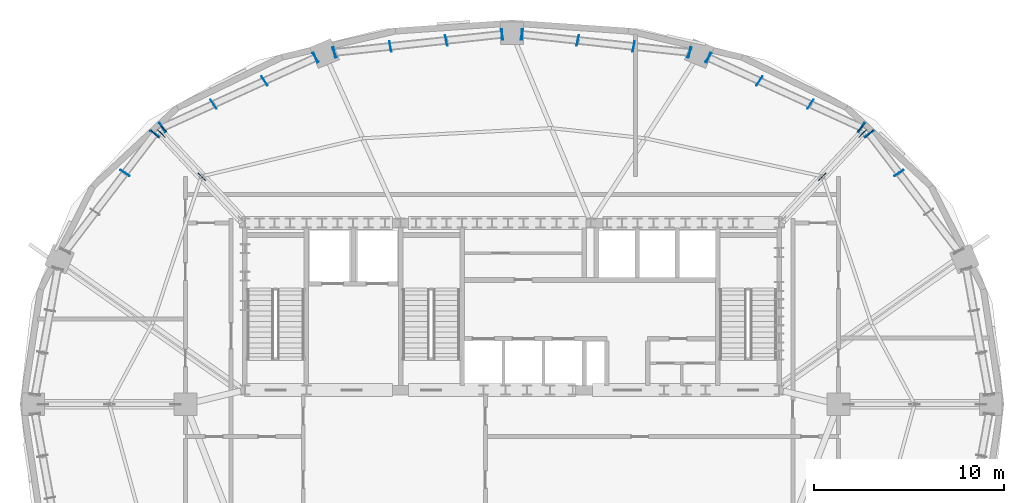
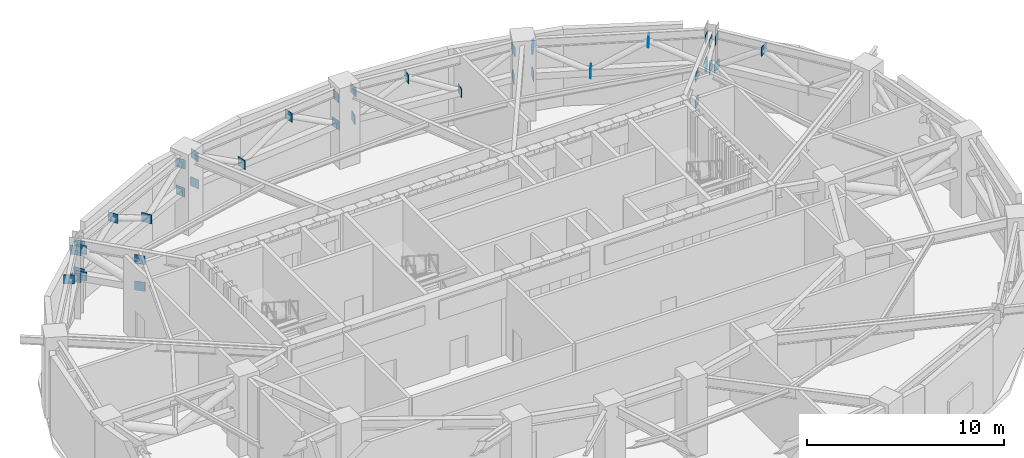
# One storey, part 10 of 17: 38 plates.
"""IFC4 building model written with IfcOpenShell, lengths in metres."""

from ifc_helpers import new_model, si_unit, direction, frame, origin, origin_2d, place, context, subcontext, project, spatial, rectangle, extrude, material, layer, layer_set, type_object, element, save


model = new_model("IFC4")

# Units and contexts
model_context = context("Model", 3, precision=1e-05, world=origin(), true_north=direction((0.0, 1.0)))
body_context = subcontext(model_context, "Body", "Model", "MODEL_VIEW")
ifc_project = project(units=[si_unit("LENGTHUNIT", "METRE"), si_unit("AREAUNIT", "SQUARE_METRE"), si_unit("VOLUMEUNIT", "CUBIC_METRE"), si_unit("PLANEANGLEUNIT", "RADIAN"), si_unit("MASSUNIT", "GRAM", prefix="KILO")], contexts=[model_context])

# Site, building, storey
site_placement = place(None, origin())
site = spatial("IfcSite", under=ifc_project, at=site_placement, CompositionType="ELEMENT")
building_placement = place(site_placement, origin())
building = spatial("IfcBuilding", under=site, at=building_placement, Name="Haldorwick Loom Tower", CompositionType="ELEMENT")
storey_placement = place(building_placement, frame((0.0, 0.0, 149.449951171875)))
storey = spatial("IfcBuildingStorey", under=building, at=storey_placement, Name="L40", CompositionType="ELEMENT", Elevation=149.449951171875)

# Plates
ifc_material = material(Name="Steel CSA G40.21 350W", Category="steel")
ifc_layer = layer(ifc_material, 0.028076171875, Name="Steel CSA G40.21 350W", Category="steel")
ifc_layer_set = layer_set([ifc_layer], Name="Steel CSA G40.21 350W")
plate_type = type_object("IfcPlateType", Name="STR-PLT-GUS28", PredefinedType="SHEET", material=ifc_layer_set)
for number, where, z_axis, x_axis, name in (
    (1, (56.388427734375, 38.18603515625, 3.93603515625), (0.0, 0.0, 1.0), (0.831469612303, 0.55557023302, 0.0), "L40 Truss Node Gusset Plate PLT-L40-BGUS-01-1B"),
    (2, (54.822021484375, 40.245361328125, 2.219970703125), (0.0, 0.0, 1.0), (0.831469612303, 0.55557023302, 0.0), "L40 Truss Node Gusset Plate PLT-L40-BGUS-01-2B"),
    (3, (54.822021484375, 40.245361328125, 3.93603515625), (0.0, 0.0, 1.0), (0.707106781187, 0.707106781187, 0.0), "L40 Truss Node Gusset Plate PLT-L40-BGUS-01D"),
    (4, (54.405517578125, 40.57861328125, 2.219970703125), (0.0, 0.0, 1.0), (0.55557023302, 0.831469612303, 0.0), "L40 Truss Node Gusset Plate PLT-L40-BGUS-02-0A"),
    (5, (51.718994140625, 41.80615234375, 3.93603515625), (0.0, 0.0, 1.0), (0.55557023302, 0.831469612303, 0.0), "L40 Truss Node Gusset Plate PLT-L40-BGUS-02-0B"),
    (6, (49.03271484375, 43.03369140625, 2.219970703125), (0.0, 0.0, 1.0), (0.55557023302, 0.831469612303, 0.0), "L40 Truss Node Gusset Plate PLT-L40-BGUS-02-1B"),
    (7, (46.34619140625, 44.261474609375, 3.93603515625), (0.0, 0.0, 1.0), (0.55557023302, 0.831469612303, 0.0), "L40 Truss Node Gusset Plate PLT-L40-BGUS-02-2B"),
    (8, (54.405517578125, 40.57861328125, 3.93603515625), (0.0, 0.0, 1.0), (0.707106781187, 0.707106781187, 0.0), "L40 Truss Node Gusset Plate PLT-L40-BGUS-02B"),
    (9, (46.34619140625, 44.261474609375, 2.219970703125), (0.0, 0.0, 1.0), (0.382683432365, 0.923879532511, 0.0), "L40 Truss Node Gusset Plate PLT-L40-BGUS-02C"),
    (10, (45.356201171875, 44.533447265625, 3.93603515625), (0.0, 0.0, 1.0), (0.195090322016, 0.980785280403, 0.0), "L40 Truss Node Gusset Plate PLT-L40-BGUS-03-0A"),
    (11, (42.409912109375, 44.851806640625, 2.219970703125), (0.0, 0.0, 1.0), (0.195090322016, 0.980785280403, 0.0), "L40 Truss Node Gusset Plate PLT-L40-BGUS-03-0B"),
    (12, (39.46337890625, 45.17041015625, 3.93603515625), (0.0, 0.0, 1.0), (0.195090322016, 0.980785280403, 0.0), "L40 Truss Node Gusset Plate PLT-L40-BGUS-03-1B"),
    (13, (36.51708984375, 45.48876953125, 2.219970703125), (0.0, 0.0, 1.0), (0.195090322016, 0.980785280403, 0.0), "L40 Truss Node Gusset Plate PLT-L40-BGUS-03-2B"),
    (14, (45.356201171875, 44.533447265625, 2.219970703125), (0.0, 0.0, 1.0), (0.382683432365, 0.923879532511, 0.0), "L40 Truss Node Gusset Plate PLT-L40-BGUS-03A"),
    (15, (36.51708984375, 45.48876953125, 3.93603515625), (0.0, 0.0, 1.0), (0.0, 1.0, 0.0), "L40 Truss Node Gusset Plate PLT-L40-BGUS-03D"),
    (16, (35.48291015625, 45.48876953125, 2.219970703125), (0.0, 0.0, 1.0), (-0.195090322016, 0.980785280403, 0.0), "L40 Truss Node Gusset Plate PLT-L40-BGUS-04-0A"),
    (17, (32.53662109375, 45.17041015625, 3.93603515625), (0.0, 0.0, 1.0), (-0.195090322016, 0.980785280403, 0.0), "L40 Truss Node Gusset Plate PLT-L40-BGUS-04-0B"),
    (18, (29.590087890625, 44.851806640625, 2.219970703125), (0.0, 0.0, 1.0), (-0.195090322016, 0.980785280403, 0.0), "L40 Truss Node Gusset Plate PLT-L40-BGUS-04-1B"),
    (19, (26.643798828125, 44.533447265625, 3.93603515625), (0.0, 0.0, 1.0), (-0.195090322016, 0.980785280403, 0.0), "L40 Truss Node Gusset Plate PLT-L40-BGUS-04-2B"),
    (20, (35.48291015625, 45.48876953125, 3.93603515625), (0.0, 0.0, 1.0), (0.0, 1.0, 0.0), "L40 Truss Node Gusset Plate PLT-L40-BGUS-04B"),
    (21, (26.643798828125, 44.533447265625, 2.219970703125), (0.0, 0.0, 1.0), (-0.382683432365, 0.923879532511, 0.0), "L40 Truss Node Gusset Plate PLT-L40-BGUS-04C"),
    (22, (25.65380859375, 44.261474609375, 3.93603515625), (0.0, 0.0, 1.0), (-0.55557023302, 0.831469612303, 0.0), "L40 Truss Node Gusset Plate PLT-L40-BGUS-05-0A"),
    (23, (22.96728515625, 43.03369140625, 2.219970703125), (0.0, 0.0, 1.0), (-0.55557023302, 0.831469612303, 0.0), "L40 Truss Node Gusset Plate PLT-L40-BGUS-05-0B"),
    (24, (20.281005859375, 41.80615234375, 3.93603515625), (0.0, 0.0, 1.0), (-0.55557023302, 0.831469612303, 0.0), "L40 Truss Node Gusset Plate PLT-L40-BGUS-05-1B"),
    (25, (17.594482421875, 40.57861328125, 2.219970703125), (0.0, 0.0, 1.0), (-0.55557023302, 0.831469612303, 0.0), "L40 Truss Node Gusset Plate PLT-L40-BGUS-05-2B"),
    (26, (25.65380859375, 44.261474609375, 2.219970703125), (0.0, 0.0, 1.0), (-0.382683432365, 0.923879532511, 0.0), "L40 Truss Node Gusset Plate PLT-L40-BGUS-05A"),
    (27, (17.594482421875, 40.57861328125, 3.93603515625), (0.0, 0.0, 1.0), (-0.707106781187, 0.707106781187, 0.0), "L40 Truss Node Gusset Plate PLT-L40-BGUS-05D"),
    (28, (17.177978515625, 40.245361328125, 2.219970703125), (0.0, 0.0, 1.0), (-0.831469612303, 0.55557023302, 0.0), "L40 Truss Node Gusset Plate PLT-L40-BGUS-06-0A"),
    (29, (15.611572265625, 38.18603515625, 3.93603515625), (0.0, 0.0, 1.0), (-0.831469612303, 0.55557023302, 0.0), "L40 Truss Node Gusset Plate PLT-L40-BGUS-06-0B"),
    (30, (17.177978515625, 40.245361328125, 3.93603515625), (0.0, 0.0, 1.0), (-0.707106781187, 0.707106781187, 0.0), "L40 Truss Node Gusset Plate PLT-L40-BGUS-06B"),
    (31, (52.345703125, 37.98876953125, 2.219970703125), (0.0, 0.0, 1.0), (0.707106781187, 0.707106781187, 0.0), "L40 Truss Node Gusset Plate PLT-L40-OT-NE-MB0"),
    (32, (52.345703125, 37.98876953125, 3.863037109375), (0.0, 0.0, 1.0), (0.707106781187, 0.707106781187, 0.0), "L40 Truss Node Gusset Plate PLT-L40-OT-NE-MT0"),
    (33, (54.468017578125, 40.26318359375, 2.219970703125), (0.0, 0.0, 1.0), (0.707106781187, 0.707106781187, 0.0), "L40 Truss Node Gusset Plate PLT-L40-OT-NE-PB0"),
    (34, (54.468017578125, 40.26318359375, 3.863037109375), (0.0, 0.0, 1.0), (0.707106781187, 0.707106781187, 0.0), "L40 Truss Node Gusset Plate PLT-L40-OT-NE-PT0"),
    (35, (19.654296875, 37.98876953125, 2.219970703125), (0.0, 0.0, 1.0), (-0.707106781187, 0.707106781187, 0.0), "L40 Truss Node Gusset Plate PLT-L40-OT-NW-MB0"),
    (36, (19.654296875, 37.98876953125, 3.863037109375), (0.0, 0.0, 1.0), (-0.707106781187, 0.707106781187, 0.0), "L40 Truss Node Gusset Plate PLT-L40-OT-NW-MT0"),
    (37, (17.531982421875, 40.26318359375, 2.219970703125), (0.0, 0.0, 1.0), (-0.707106781187, 0.707106781187, 0.0), "L40 Truss Node Gusset Plate PLT-L40-OT-NW-PB0"),
    (38, (17.531982421875, 40.26318359375, 3.863037109375), (0.0, 0.0, 1.0), (-0.707106781187, 0.707106781187, 0.0), "L40 Truss Node Gusset Plate PLT-L40-OT-NW-PT0"),
):
    element("IfcPlate", number, at=place(storey_placement, frame(where, z_axis=z_axis, x_axis=x_axis)), inside=storey, type_object=plate_type, Name=name, PredefinedType="SHEET", context=body_context, shape_type="SweptSolid", body=[
        extrude(rectangle(XDim=0.56005859375, YDim=0.028076171875, at=origin_2d()), origin(), (0.0, 0.0, 1.0), 0.56005859375),
    ])

save(model, "model.ifc")
